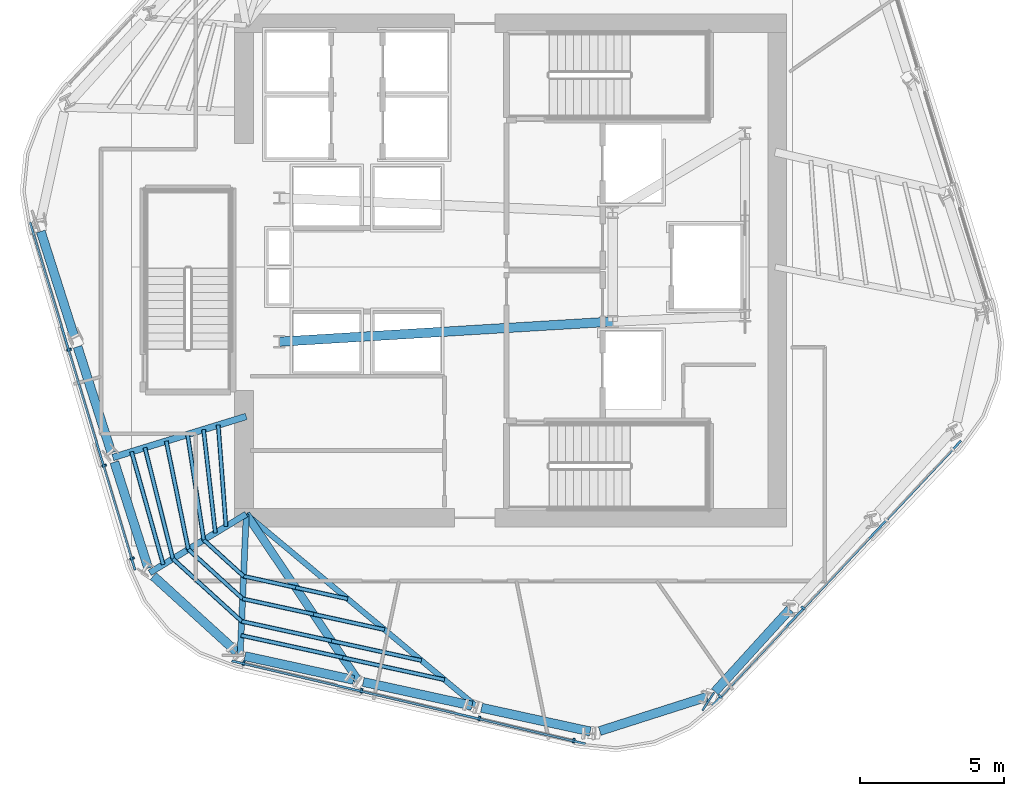
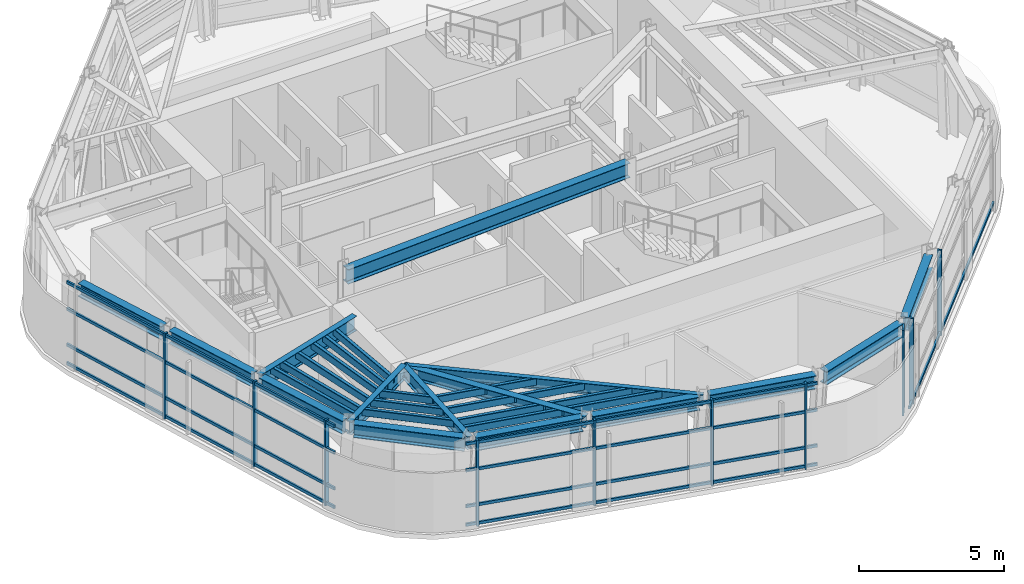
# One storey, part 2 of 13: 36 members, 15 beams, 3 elements without a shape of their own.
"""IFC4 building model written with IfcOpenShell, lengths in metres."""

from ifc_helpers import new_model, si_unit, direction, frame, origin, origin_2d, place, context, subcontext, project, spatial, rectangle, hollow_rectangle, i_section, extrude, material, layer, layer_set, material_profile, profile_set, type_object, element, aggregate, save


model = new_model("IFC4")

# Units and contexts
model_context = context("Model", 3, precision=1e-05, world=origin(), true_north=direction((0.0, 1.0)))
body_context = subcontext(model_context, "Body", "Model", "MODEL_VIEW")
ifc_project = project(units=[si_unit("LENGTHUNIT", "METRE"), si_unit("AREAUNIT", "SQUARE_METRE"), si_unit("VOLUMEUNIT", "CUBIC_METRE"), si_unit("PLANEANGLEUNIT", "RADIAN"), si_unit("MASSUNIT", "GRAM", prefix="KILO")], contexts=[model_context])

# Site, building, storey
site_placement = place(None, origin())
site = spatial("IfcSite", under=ifc_project, at=site_placement, CompositionType="ELEMENT")
building_placement = place(site_placement, origin())
building = spatial("IfcBuilding", under=site, at=building_placement, Name="Valkerne Bourse Tower", CompositionType="ELEMENT")
storey_placement = place(building_placement, frame((0.0, 0.0, 224.60009765625)))
storey = spatial("IfcBuildingStorey", under=building, at=storey_placement, Name="L57", CompositionType="ELEMENT", Elevation=224.60009765625)

# Beams
ifc_material_1 = material(Name="Steel ASTM A992", Category="steel")
ifc_material_profile_1 = material_profile(ifc_material_1, i_section(OverallWidth=0.1904296875, OverallDepth=0.457275390625, WebThickness=0.009033203125, FlangeThickness=0.014404296875, FilletRadius=0.01513671875, at=origin_2d()), Name="W18X50")
ifc_profile_set_1 = profile_set([ifc_material_profile_1], Name="Steel ASTM A992")
beam_type_1 = type_object("IfcBeamType", Name="BM-W18X50", PredefinedType="JOIST", material=ifc_profile_set_1)
beam_1_placement = place(storey_placement, frame((45.619873046875, 11.701416015625, 3.371337890625), z_axis=(-0.767498791252, 0.641050392267, 0.0), x_axis=(-0.641050392267, -0.767498791252, 0.0)))
element("IfcBeam", 1, at=beam_1_placement, inside=storey, type_object=beam_type_1, Name="L57 Radial Composite Floor Beam 14", PredefinedType="JOIST", context=body_context, shape_type="SweptSolid", body=[
    extrude(i_section(OverallWidth=0.1904296875, OverallDepth=0.457275390625, WebThickness=0.009033203125, FlangeThickness=0.014404296875, FilletRadius=0.01513671875, at=origin_2d()), origin(), (0.0, 0.0, 1.0), 10.44921875),
])
ifc_material_profile_2 = material_profile(ifc_material_1, i_section(OverallWidth=0.279296875, OverallDepth=0.46240234375, WebThickness=0.0107421875, FlangeThickness=0.017333984375, FilletRadius=0.017822265625, at=origin_2d()), Name="W18X76")
ifc_profile_set_2 = profile_set([ifc_material_profile_2], Name="Steel ASTM A992")
beam_type_2 = type_object("IfcBeamType", Name="BM-W18X76", PredefinedType="BEAM", material=ifc_profile_set_2)
beam_2_placement = place(storey_placement, frame((41.50439453125, 12.598876953125, 3.36865234375), z_axis=(-0.558352801739, 0.829603609437, 0.0), x_axis=(-0.829603609437, -0.558352801739, 0.0)))
element("IfcBeam", 2, at=beam_2_placement, inside=storey, type_object=beam_type_2, Name="L57 Radial Composite Floor Beam 13", PredefinedType="BEAM", context=body_context, shape_type="SweptSolid", body=[
    extrude(i_section(OverallWidth=0.279296875, OverallDepth=0.46240234375, WebThickness=0.0107421875, FlangeThickness=0.017333984375, FilletRadius=0.017822265625, at=origin_2d()), origin(), (0.0, 0.0, 1.0), 6.992431640625),
])
ifc_material_profile_3 = material_profile(ifc_material_1, i_section(OverallWidth=0.31494140625, OverallDepth=0.5537109375, WebThickness=0.0166015625, FlangeThickness=0.026123046875, FilletRadius=0.020263671875, at=origin_2d()), Name="W21X132")
ifc_profile_set_3 = profile_set([ifc_material_profile_3], Name="Steel ASTM A992")
beam_type_3 = type_object("IfcBeamType", Name="BM-W21X132", PredefinedType="BEAM", material=ifc_profile_set_3)
beam_3_placement = place(storey_placement, frame((30.45166015625, 28.236083984375, 3.322998046875), z_axis=(0.303981730709, -0.952677861292, 0.0), x_axis=(0.952677861292, 0.303981730709, 0.0)))
element("IfcBeam", 3, at=beam_3_placement, inside=storey, type_object=beam_type_3, Name="L57 Hexagonal Spandrel Ring Beam 08", PredefinedType="BEAM", context=body_context, shape_type="SweptSolid", body=[
    extrude(i_section(OverallWidth=0.31494140625, OverallDepth=0.5537109375, WebThickness=0.0166015625, FlangeThickness=0.026123046875, FilletRadius=0.020263671875, at=origin_2d()), origin(), (0.0, 0.0, 1.0), 3.8720703125),
])
for number, where, z_axis, x_axis, name in (
    (4, (31.732177734375, 24.223388671875, 3.322998046875), (0.303999991882, -0.952672034299, 0.0), (0.952672034299, 0.303999991882, 0.0), "L57 Hexagonal Spandrel Ring Beam 09"),
    (5, (33.0126953125, 20.210693359375, 3.322998046875), (0.304057220174, -0.952653770716, 0.0), (0.952653770716, 0.304057220174, 0.0), "L57 Hexagonal Spandrel Ring Beam 10"),
):
    element("IfcBeam", number, at=place(storey_placement, frame(where, z_axis=z_axis, x_axis=x_axis)), inside=storey, type_object=beam_type_3, Name=name, PredefinedType="BEAM", context=body_context, shape_type="SweptSolid", body=[
        extrude(i_section(OverallWidth=0.31494140625, OverallDepth=0.5537109375, WebThickness=0.0166015625, FlangeThickness=0.026123046875, FilletRadius=0.020263671875, at=origin_2d()), origin(), (0.0, 0.0, 1.0), 3.871826171875),
    ])
beam_4_placement = place(storey_placement, frame((34.3671875, 16.245849609375, 3.322998046875), z_axis=(0.739646595787, -0.67299547795, 0.0), x_axis=(0.67299547795, 0.739646595787, 0.0)))
element("IfcBeam", 6, at=beam_4_placement, inside=storey, type_object=beam_type_3, Name="L57 Hexagonal Spandrel Ring Beam 11", PredefinedType="BEAM", context=body_context, shape_type="SweptSolid", body=[
    extrude(i_section(OverallWidth=0.31494140625, OverallDepth=0.5537109375, WebThickness=0.0166015625, FlangeThickness=0.026123046875, FilletRadius=0.020263671875, at=origin_2d()), origin(), (0.0, 0.0, 1.0), 3.915771484375),
])
beam_5_placement = place(storey_placement, frame((37.555419921875, 13.4599609375, 3.322998046875), z_axis=(0.977038438993, -0.213063109736, 0.0), x_axis=(0.213063109736, 0.977038438993, 0.0)))
element("IfcBeam", 7, at=beam_5_placement, inside=storey, type_object=beam_type_3, Name="L57 Hexagonal Spandrel Ring Beam 12", PredefinedType="BEAM", context=body_context, shape_type="SweptSolid", body=[
    extrude(i_section(OverallWidth=0.31494140625, OverallDepth=0.5537109375, WebThickness=0.0166015625, FlangeThickness=0.026123046875, FilletRadius=0.020263671875, at=origin_2d()), origin(), (0.0, 0.0, 1.0), 3.871826171875),
])
for number, where, z_axis, x_axis, name in (
    (8, (41.670654296875, 12.5625, 3.322998046875), (0.977054424142, -0.212989793802, 0.0), (0.212989793802, 0.977054424142, 0.0), "L57 Hexagonal Spandrel Ring Beam 13"),
    (9, (45.785888671875, 11.665283203125, 3.322998046875), (0.97704130117, -0.213049984296, 0.0), (0.213049984296, 0.97704130117, 0.0), "L57 Hexagonal Spandrel Ring Beam 14"),
):
    element("IfcBeam", number, at=place(storey_placement, frame(where, z_axis=z_axis, x_axis=x_axis)), inside=storey, type_object=beam_type_3, Name=name, PredefinedType="BEAM", context=body_context, shape_type="SweptSolid", body=[
        extrude(i_section(OverallWidth=0.31494140625, OverallDepth=0.5537109375, WebThickness=0.0166015625, FlangeThickness=0.026123046875, FilletRadius=0.020263671875, at=origin_2d()), origin(), (0.0, 0.0, 1.0), 3.8720703125),
    ])
beam_6_placement = place(storey_placement, frame((49.897216796875, 10.85595703125, 3.322998046875), z_axis=(0.95266420636, 0.304024521907, 0.0), x_axis=(-0.304024521907, 0.95266420636, 0.0)))
element("IfcBeam", 10, at=beam_6_placement, inside=storey, type_object=beam_type_3, Name="L57 Hexagonal Spandrel Ring Beam 15", PredefinedType="BEAM", context=body_context, shape_type="SweptSolid", body=[
    extrude(i_section(OverallWidth=0.31494140625, OverallDepth=0.5537109375, WebThickness=0.0166015625, FlangeThickness=0.026123046875, FilletRadius=0.020263671875, at=origin_2d()), origin(), (0.0, 0.0, 1.0), 3.91552734375),
])
beam_7_placement = place(storey_placement, frame((53.90380859375, 12.223876953125, 3.322998046875), z_axis=(0.673030492682, 0.739614734791, 0.0), x_axis=(-0.739614734791, 0.673030492682, 0.0)))
element("IfcBeam", 11, at=beam_7_placement, inside=storey, type_object=beam_type_3, Name="L57 Hexagonal Spandrel Ring Beam 16", PredefinedType="BEAM", context=body_context, shape_type="SweptSolid", body=[
    extrude(i_section(OverallWidth=0.31494140625, OverallDepth=0.5537109375, WebThickness=0.0166015625, FlangeThickness=0.026123046875, FilletRadius=0.020263671875, at=origin_2d()), origin(), (0.0, 0.0, 1.0), 3.8720703125),
])
ifc_material_profile_4 = material_profile(ifc_material_1, i_section(OverallWidth=0.209228515625, OverallDepth=0.533447265625, WebThickness=0.01025390625, FlangeThickness=0.015625, FilletRadius=0.017822265625, at=origin_2d()), Name="W21X62")
ifc_profile_set_4 = profile_set([ifc_material_profile_4], Name="Steel ASTM A992")
beam_type_4 = type_object("IfcBeamType", Name="BM-W21X62", PredefinedType="JOIST", material=ifc_profile_set_4)
beam_8_placement = place(storey_placement, frame((37.38916015625, 13.49609375, 3.333251953125), z_axis=(0.042975295272, 0.999076135235, 0.0), x_axis=(-0.999076135235, 0.042975295272, 0.0)))
element("IfcBeam", 12, at=beam_8_placement, inside=storey, type_object=beam_type_4, Name="L57 Radial Composite Floor Beam 12", PredefinedType="JOIST", context=body_context, shape_type="SweptSolid", body=[
    extrude(i_section(OverallWidth=0.209228515625, OverallDepth=0.533447265625, WebThickness=0.01025390625, FlangeThickness=0.015625, FilletRadius=0.017822265625, at=origin_2d()), origin(), (0.0, 0.0, 1.0), 4.908447265625),
])
ifc_material_profile_5 = material_profile(ifc_material_1, i_section(OverallWidth=0.2138671875, OverallDepth=0.548583984375, WebThickness=0.0146484375, FlangeThickness=0.023681640625, FilletRadius=0.017822265625, at=origin_2d()), Name="W21X93")
ifc_profile_set_5 = profile_set([ifc_material_profile_5], Name="Steel ASTM A992")
beam_type_5 = type_object("IfcBeamType", Name="BM-W21X93", PredefinedType="BEAM", material=ifc_profile_set_5)
beam_9_placement = place(storey_placement, frame((34.24169921875, 16.360107421875, 3.32568359375), z_axis=(0.854700876198, 0.519120806967, 0.0), x_axis=(-0.519120806967, 0.854700876198, 0.0)))
element("IfcBeam", 13, at=beam_9_placement, inside=storey, type_object=beam_type_5, Name="L57 Radial Composite Floor Beam 11", PredefinedType="BEAM", context=body_context, shape_type="SweptSolid", body=[
    extrude(i_section(OverallWidth=0.2138671875, OverallDepth=0.548583984375, WebThickness=0.0146484375, FlangeThickness=0.023681640625, FilletRadius=0.017822265625, at=origin_2d()), origin(), (0.0, 0.0, 1.0), 3.929443359375),
])
ifc_material_profile_6 = material_profile(ifc_material_1, i_section(OverallWidth=0.3251953125, OverallDepth=0.612060546875, WebThickness=0.0126953125, FlangeThickness=0.01904296875, FilletRadius=0.020263671875, at=origin_2d()), Name="W24X104")
ifc_profile_set_6 = profile_set([ifc_material_profile_6], Name="Steel ASTM A992")
beam_type_6 = type_object("IfcBeamType", Name="BM-W24X104", PredefinedType="BEAM", material=ifc_profile_set_6)
beam_10_placement = place(storey_placement, frame((38.75, 24.39990234375, 3.293701171875), z_axis=(0.998183228389, 0.060251494276, 0.0), x_axis=(-0.060251494276, 0.998183228389, 0.0)))
element("IfcBeam", 14, at=beam_10_placement, inside=storey, type_object=beam_type_6, Name="L57 Core Frame Girder CG-SW", PredefinedType="BEAM", context=body_context, shape_type="SweptSolid", body=[
    extrude(i_section(OverallWidth=0.3251953125, OverallDepth=0.612060546875, WebThickness=0.0126953125, FlangeThickness=0.01904296875, FilletRadius=0.020263671875, at=origin_2d()), origin(), (0.0, 0.0, 1.0), 11.62109375),
])
ifc_material_profile_7 = material_profile(ifc_material_1, i_section(OverallWidth=0.228271484375, OverallDepth=0.607177734375, WebThickness=0.01123046875, FlangeThickness=0.017333984375, FilletRadius=0.017822265625, at=origin_2d()), Name="W24X76")
ifc_profile_set_7 = profile_set([ifc_material_profile_7], Name="Steel ASTM A992")
beam_type_7 = type_object("IfcBeamType", Name="BM-W24X76", PredefinedType="JOIST", material=ifc_profile_set_7)
beam_11_placement = place(storey_placement, frame((32.9609375, 20.372802734375, 3.29638671875), z_axis=(0.955789883622, 0.294050503087, 0.0), x_axis=(-0.294050503087, 0.955789883622, 0.0)))
element("IfcBeam", 15, at=beam_11_placement, inside=storey, type_object=beam_type_7, Name="L57 Radial Composite Floor Beam 10", PredefinedType="JOIST", context=body_context, shape_type="SweptSolid", body=[
    extrude(i_section(OverallWidth=0.228271484375, OverallDepth=0.607177734375, WebThickness=0.01123046875, FlangeThickness=0.017333984375, FilletRadius=0.017822265625, at=origin_2d()), origin(), (0.0, 0.0, 1.0), 4.853759765625),
])

# Curtain wall, members
ifc_material_2 = material(Name="Aluminium AA 6063-T6", Category="aluminium")
ifc_layer = layer(ifc_material_2, 0.239990234375)
ifc_layer_set = layer_set([ifc_layer], Name="Aluminium AA 6063-T6")
curtain_wall_type = type_object("IfcCurtainWallType", Name="CW-04", PredefinedType="NOTDEFINED", material=ifc_layer_set)
curtain_wall_1_placement = place(storey_placement, origin())
curtain_wall_1 = element("IfcCurtainWall", 16, at=curtain_wall_1_placement, inside=storey, type_object=curtain_wall_type, Name="L57 Hexagonal Stick Curtain Wall Face 3", PredefinedType="NOTDEFINED")
ifc_material_profile_8 = material_profile(ifc_material_2, rectangle(XDim=0.074951171875, YDim=0.159912109375, at=origin_2d()), Name="CWM-75X160")
ifc_profile_set_8 = profile_set([ifc_material_profile_8], Name="Aluminium AA 6063-T6")
member_type_1 = type_object("IfcMemberType", Name="CW-MUL-160X75", PredefinedType="MULLION", material=ifc_profile_set_8)
member_1_placement = place(storey_placement, frame((31.43701171875, 24.122802734375, 0.0), z_axis=(0.0, 0.0, 1.0), x_axis=(0.289033329904, -0.957319034703, 0.0)))
member_1 = element("IfcMember", 17, at=member_1_placement, type_object=member_type_1, Name="CW-L57-F3 Jamb Mullion 01A", PredefinedType="MULLION", context=body_context, shape_type="SweptSolid", body=[
    extrude(rectangle(XDim=0.074951171875, YDim=0.159912109375, at=origin_2d()), origin(), (0.0, 0.0, 1.0), 3.599853515625),
])
member_2_placement = place(storey_placement, frame((32.654541015625, 20.0908203125, 0.0), z_axis=(0.0, 0.0, 1.0), x_axis=(0.289026760752, -0.957321018034, 0.0)))
member_2 = element("IfcMember", 18, at=member_2_placement, type_object=member_type_1, Name="CW-L57-F3 Jamb Mullion 02A", PredefinedType="MULLION", context=body_context, shape_type="SweptSolid", body=[
    extrude(rectangle(XDim=0.074951171875, YDim=0.159912109375, at=origin_2d()), origin(), (0.0, 0.0, 1.0), 3.599853515625),
])
member_3_placement = place(storey_placement, frame((33.629150390625, 16.862548828125, 0.0), z_axis=(0.0, 0.0, 1.0), x_axis=(0.289026760752, -0.957321018034, 0.0)))
member_3 = element("IfcMember", 19, at=member_3_placement, type_object=member_type_1, Name="CW-L57-F3 Jamb Mullion 02B", PredefinedType="MULLION", context=body_context, shape_type="SweptSolid", body=[
    extrude(rectangle(XDim=0.074951171875, YDim=0.159912109375, at=origin_2d()), origin(), (0.0, 0.0, 1.0), 3.599853515625),
])

curtain_wall_2_placement = place(storey_placement, origin())
curtain_wall_2 = element("IfcCurtainWall", 20, at=curtain_wall_2_placement, inside=storey, type_object=curtain_wall_type, Name="L57 Hexagonal Stick Curtain Wall Face 4", PredefinedType="NOTDEFINED")
member_4_placement = place(storey_placement, frame((37.509521484375, 13.218505859375, 0.0), z_axis=(0.0, 0.0, 1.0), x_axis=(0.973579457174, -0.228348506824, 0.0)))
member_4 = element("IfcMember", 21, at=member_4_placement, type_object=member_type_1, Name="CW-L57-F4 Jamb Mullion 00A", PredefinedType="MULLION", context=body_context, shape_type="SweptSolid", body=[
    extrude(rectangle(XDim=0.074951171875, YDim=0.159912109375, at=origin_2d()), origin(), (0.0, 0.0, 1.0), 3.599853515625),
])
member_5_placement = place(storey_placement, frame((41.6103515625, 12.2568359375, 0.0), z_axis=(0.0, 0.0, 1.0), x_axis=(0.973579457174, -0.228348506824, 0.0)))
member_5 = element("IfcMember", 22, at=member_5_placement, type_object=member_type_1, Name="CW-L57-F4 Jamb Mullion 01A", PredefinedType="MULLION", context=body_context, shape_type="SweptSolid", body=[
    extrude(rectangle(XDim=0.074951171875, YDim=0.159912109375, at=origin_2d()), origin(), (0.0, 0.0, 1.0), 3.599853515625),
])
member_6_placement = place(storey_placement, frame((45.7109375, 11.294921875, 0.0), z_axis=(0.0, 0.0, 1.0), x_axis=(0.973579457174, -0.228348506824, 0.0)))
member_6 = element("IfcMember", 23, at=member_6_placement, type_object=member_type_1, Name="CW-L57-F4 Jamb Mullion 02A", PredefinedType="MULLION", context=body_context, shape_type="SweptSolid", body=[
    extrude(rectangle(XDim=0.074951171875, YDim=0.159912109375, at=origin_2d()), origin(), (0.0, 0.0, 1.0), 3.599853515625),
])
member_7_placement = place(storey_placement, frame((48.993896484375, 10.52490234375, 0.0), z_axis=(0.0, 0.0, 1.0), x_axis=(0.973579457174, -0.228348506824, 0.0)))
member_7 = element("IfcMember", 24, at=member_7_placement, type_object=member_type_1, Name="CW-L57-F4 Jamb Mullion 02B", PredefinedType="MULLION", context=body_context, shape_type="SweptSolid", body=[
    extrude(rectangle(XDim=0.074951171875, YDim=0.159912109375, at=origin_2d()), origin(), (0.0, 0.0, 1.0), 3.599853515625),
])

curtain_wall_3_placement = place(storey_placement, origin())
curtain_wall_3 = element("IfcCurtainWall", 25, at=curtain_wall_3_placement, inside=storey, type_object=curtain_wall_type, Name="L57 Hexagonal Stick Curtain Wall Face 5", PredefinedType="NOTDEFINED")
member_8_placement = place(storey_placement, frame((54.08984375, 12.0634765625, 0.0), z_axis=(0.0, 0.0, 1.0), x_axis=(0.684560035051, 0.728956485952, 0.0)))
member_8 = element("IfcMember", 26, at=member_8_placement, type_object=member_type_1, Name="CW-L57-F5 Jamb Mullion 00A", PredefinedType="MULLION", context=body_context, shape_type="SweptSolid", body=[
    extrude(rectangle(XDim=0.074951171875, YDim=0.159912109375, at=origin_2d()), origin(), (0.0, 0.0, 1.0), 3.599853515625),
])
member_9_placement = place(storey_placement, frame((56.97314453125, 15.1337890625, 0.0), z_axis=(0.0, 0.0, 1.0), x_axis=(0.684535571717, 0.728979458595, 0.0)))
member_9 = element("IfcMember", 27, at=member_9_placement, type_object=member_type_1, Name="CW-L57-F5 Jamb Mullion 01A", PredefinedType="MULLION", context=body_context, shape_type="SweptSolid", body=[
    extrude(rectangle(XDim=0.074951171875, YDim=0.159912109375, at=origin_2d()), origin(), (0.0, 0.0, 1.0), 3.599853515625),
])

# Member
ifc_material_profile_9 = material_profile(ifc_material_2, rectangle(XDim=0.074951171875, YDim=0.1201171875, at=origin_2d()), Name="CWT-75X120")
ifc_profile_set_9 = profile_set([ifc_material_profile_9], Name="Aluminium AA 6063-T6")
member_type_2 = type_object("IfcMemberType", Name="CW-TRN-120X75", PredefinedType="USERDEFINED", material=ifc_profile_set_9)
member_10_placement = place(storey_placement, frame((30.0791015625, 28.55126953125, 0.119873046875), z_axis=(0.289042010768, -0.957316413738, 0.0), x_axis=(0.957316413738, 0.289042010768, 0.0)))
member_10 = element("IfcMember", 28, at=member_10_placement, type_object=member_type_2, Name="CW-L57-F3 Continuous Face Transom 1", ObjectType="TRANSOM", PredefinedType="USERDEFINED", context=body_context, shape_type="SweptSolid", body=[
    extrude(rectangle(XDim=0.074951171875, YDim=0.1201171875, at=origin_2d()), origin(), (0.0, 0.0, 1.0), 12.635986328125),
])

member_11_placement = place(storey_placement, frame((30.0791015625, 28.55126953125, 0.89990234375), z_axis=(0.289042010768, -0.957316413738, 0.0), x_axis=(0.957316413738, 0.289042010768, 0.0)))
member_11 = element("IfcMember", 29, at=member_11_placement, type_object=member_type_2, Name="CW-L57-F3 Continuous Face Transom 2", ObjectType="TRANSOM", PredefinedType="USERDEFINED", context=body_context, shape_type="SweptSolid", body=[
    extrude(rectangle(XDim=0.074951171875, YDim=0.1201171875, at=origin_2d()), origin(), (0.0, 0.0, 1.0), 12.635986328125),
])

member_12_placement = place(storey_placement, frame((30.0791015625, 28.55126953125, 2.39990234375), z_axis=(0.289042010768, -0.957316413738, 0.0), x_axis=(0.957316413738, 0.289042010768, 0.0)))
member_12 = element("IfcMember", 30, at=member_12_placement, type_object=member_type_2, Name="CW-L57-F3 Continuous Face Transom 3", ObjectType="TRANSOM", PredefinedType="USERDEFINED", context=body_context, shape_type="SweptSolid", body=[
    extrude(rectangle(XDim=0.074951171875, YDim=0.1201171875, at=origin_2d()), origin(), (0.0, 0.0, 1.0), 12.635986328125),
])

member_13_placement = place(storey_placement, frame((30.0791015625, 28.55126953125, 3.52001953125), z_axis=(0.289042010768, -0.957316413738, 0.0), x_axis=(0.957316413738, 0.289042010768, 0.0)))
member_13 = element("IfcMember", 31, at=member_13_placement, type_object=member_type_2, Name="CW-L57-F3 Continuous Face Transom 4", ObjectType="TRANSOM", PredefinedType="USERDEFINED", context=body_context, shape_type="SweptSolid", body=[
    extrude(rectangle(XDim=0.074951171875, YDim=0.1201171875, at=origin_2d()), origin(), (0.0, 0.0, 1.0), 12.635986328125),
])

aggregate(curtain_wall_1, [member_10, member_11, member_12, member_13, member_1, member_2, member_3])

member_14_placement = place(storey_placement, frame((37.09619140625, 13.294921875, 0.119873046875), z_axis=(0.973581622913, -0.228339272849, 0.0), x_axis=(0.228339272849, 0.973581622913, 0.0)))
member_14 = element("IfcMember", 32, at=member_14_placement, type_object=member_type_2, Name="CW-L57-F4 Continuous Face Transom 1", ObjectType="TRANSOM", PredefinedType="USERDEFINED", context=body_context, shape_type="SweptSolid", body=[
    extrude(rectangle(XDim=0.074951171875, YDim=0.1201171875, at=origin_2d()), origin(), (0.0, 0.0, 1.0), 12.6357421875),
])

member_15_placement = place(storey_placement, frame((37.09619140625, 13.294921875, 0.89990234375), z_axis=(0.973581622913, -0.228339272849, 0.0), x_axis=(0.228339272849, 0.973581622913, 0.0)))
member_15 = element("IfcMember", 33, at=member_15_placement, type_object=member_type_2, Name="CW-L57-F4 Continuous Face Transom 2", ObjectType="TRANSOM", PredefinedType="USERDEFINED", context=body_context, shape_type="SweptSolid", body=[
    extrude(rectangle(XDim=0.074951171875, YDim=0.1201171875, at=origin_2d()), origin(), (0.0, 0.0, 1.0), 12.6357421875),
])

member_16_placement = place(storey_placement, frame((37.09619140625, 13.294921875, 2.39990234375), z_axis=(0.973581622913, -0.228339272849, 0.0), x_axis=(0.228339272849, 0.973581622913, 0.0)))
member_16 = element("IfcMember", 34, at=member_16_placement, type_object=member_type_2, Name="CW-L57-F4 Continuous Face Transom 3", ObjectType="TRANSOM", PredefinedType="USERDEFINED", context=body_context, shape_type="SweptSolid", body=[
    extrude(rectangle(XDim=0.074951171875, YDim=0.1201171875, at=origin_2d()), origin(), (0.0, 0.0, 1.0), 12.6357421875),
])

member_17_placement = place(storey_placement, frame((37.09619140625, 13.294921875, 3.52001953125), z_axis=(0.973581622913, -0.228339272849, 0.0), x_axis=(0.228339272849, 0.973581622913, 0.0)))
member_17 = element("IfcMember", 35, at=member_17_placement, type_object=member_type_2, Name="CW-L57-F4 Continuous Face Transom 4", ObjectType="TRANSOM", PredefinedType="USERDEFINED", context=body_context, shape_type="SweptSolid", body=[
    extrude(rectangle(XDim=0.074951171875, YDim=0.1201171875, at=origin_2d()), origin(), (0.0, 0.0, 1.0), 12.6357421875),
])

aggregate(curtain_wall_2, [member_14, member_15, member_16, member_17, member_4, member_5, member_6, member_7])

member_18_placement = place(storey_placement, frame((53.81689453125, 11.74365234375, 0.119873046875), z_axis=(0.684538601251, 0.728976613752, 0.0), x_axis=(-0.728976613752, 0.684538601251, 0.0)))
member_18 = element("IfcMember", 36, at=member_18_placement, type_object=member_type_2, Name="CW-L57-F5 Continuous Face Transom 1", ObjectType="TRANSOM", PredefinedType="USERDEFINED", context=body_context, shape_type="SweptSolid", body=[
    extrude(rectangle(XDim=0.074951171875, YDim=0.1201171875, at=origin_2d()), origin(), (0.0, 0.0, 1.0), 12.635986328125),
])

aggregate(curtain_wall_3, [member_18, member_8, member_9])

# Members
ifc_material_3 = material(Name="Bronze Anodised Aluminium AA 6063-T6", Category="aluminium")
ifc_material_profile_10 = material_profile(ifc_material_3, rectangle(XDim=0.06494140625, YDim=0.75, at=origin_2d()), Name="FIN-65X750")
ifc_profile_set_10 = profile_set([ifc_material_profile_10], Name="Bronze Anodised Aluminium AA 6063-T6")
member_type_3 = type_object("IfcMemberType", Name="FIN-SOLAR-650", PredefinedType="USERDEFINED", material=ifc_profile_set_10)
member_19_placement = place(storey_placement, frame((53.6708984375, 11.880615234375, 0.00390625), z_axis=(0.0, 0.0, 1.0), x_axis=(0.840131291025, -0.542383087716, 0.0)))
element("IfcMember", 37, at=member_19_placement, inside=storey, type_object=member_type_3, Name="L57 Bronze Anodised Solar Fin F5-00", ObjectType="SOLAR_FIN", PredefinedType="USERDEFINED", context=body_context, shape_type="SweptSolid", body=[
    extrude(rectangle(XDim=0.06494140625, YDim=0.75, at=origin_2d()), origin(), (0.0, 0.0, 1.0), 3.592041015625),
])
ifc_material_4 = material(Name="Steel ASTM A500 Grade C", Category="steel")
ifc_material_profile_11 = material_profile(ifc_material_4, hollow_rectangle(XDim=0.14990234375, YDim=0.300048828125, WallThickness=0.012451171875, OuterFilletRadius=0.02490234375, at=origin_2d()), Name="HSS300X150X12.5")
ifc_profile_set_11 = profile_set([ifc_material_profile_11], Name="Steel ASTM A500 Grade C")
member_type_4 = type_object("IfcMemberType", Name="MBR-HSS300X150X12.5", PredefinedType="PURLIN", material=ifc_profile_set_11)
member_20_placement = place(storey_placement, frame((36.115478515625, 21.34326171875, 3.43994140625), z_axis=(0.11325931234, -0.993565462447, 0.0), x_axis=(0.993565462447, 0.11325931234, 0.0)))
element("IfcMember", 38, at=member_20_placement, inside=storey, type_object=member_type_4, Name="L57 Secondary Composite Floor Purlin I-10", PredefinedType="PURLIN", context=body_context, shape_type="SweptSolid", body=[
    extrude(hollow_rectangle(XDim=0.14990234375, YDim=0.300048828125, WallThickness=0.012451171875, OuterFilletRadius=0.02490234375, at=origin_2d()), origin(), (0.0, 0.0, 1.0), 3.619140625),
])
member_21_placement = place(storey_placement, frame((35.558837890625, 21.172119140625, 3.43994140625), z_axis=(0.151770577308, -0.98841574849, 0.0), x_axis=(0.98841574849, 0.151770577308, 0.0)))
element("IfcMember", 39, at=member_21_placement, inside=storey, type_object=member_type_4, Name="L57 Secondary Composite Floor Purlin K-10", PredefinedType="PURLIN", context=body_context, shape_type="SweptSolid", body=[
    extrude(hollow_rectangle(XDim=0.14990234375, YDim=0.300048828125, WallThickness=0.012451171875, OuterFilletRadius=0.02490234375, at=origin_2d()), origin(), (0.0, 0.0, 1.0), 3.712646484375),
])
member_22_placement = place(storey_placement, frame((36.122314453125, 17.50244140625, 3.43994140625), z_axis=(0.739574162958, -0.673075075668, 0.0), x_axis=(0.673075075668, 0.739574162958, 0.0)))
element("IfcMember", 40, at=member_22_placement, inside=storey, type_object=member_type_4, Name="L57 Secondary Composite Floor Purlin K-11", PredefinedType="PURLIN", context=body_context, shape_type="SweptSolid", body=[
    extrude(hollow_rectangle(XDim=0.14990234375, YDim=0.300048828125, WallThickness=0.012451171875, OuterFilletRadius=0.02490234375, at=origin_2d()), origin(), (0.0, 0.0, 1.0), 1.872314453125),
])
member_23_placement = place(storey_placement, frame((37.507080078125, 16.2421875, 3.43994140625), z_axis=(0.977056143431, -0.212981906704, 0.0), x_axis=(0.212981906704, 0.977056143431, 0.0)))
element("IfcMember", 41, at=member_23_placement, inside=storey, type_object=member_type_4, Name="L57 Secondary Composite Floor Purlin K-12", PredefinedType="PURLIN", context=body_context, shape_type="SweptSolid", body=[
    extrude(hollow_rectangle(XDim=0.14990234375, YDim=0.300048828125, WallThickness=0.012451171875, OuterFilletRadius=0.02490234375, at=origin_2d()), origin(), (0.0, 0.0, 1.0), 1.853515625),
])
member_24_placement = place(storey_placement, frame((39.318115234375, 15.847412109375, 3.43994140625), z_axis=(0.97705016755, -0.213009319257, 0.0), x_axis=(0.213009319257, 0.97705016755, 0.0)))
element("IfcMember", 42, at=member_24_placement, inside=storey, type_object=member_type_4, Name="L57 Secondary Composite Floor Purlin K-13", PredefinedType="PURLIN", context=body_context, shape_type="SweptSolid", body=[
    extrude(hollow_rectangle(XDim=0.14990234375, YDim=0.300048828125, WallThickness=0.012451171875, OuterFilletRadius=0.02490234375, at=origin_2d()), origin(), (0.0, 0.0, 1.0), 1.853271484375),
])
member_25_placement = place(storey_placement, frame((34.074462890625, 20.71533203125, 3.43994140625), z_axis=(0.244134951753, -0.969741267211, 0.0), x_axis=(0.969741267211, 0.244134951753, 0.0)))
element("IfcMember", 43, at=member_25_placement, inside=storey, type_object=member_type_4, Name="L57 Secondary Composite Floor Purlin O-10", PredefinedType="PURLIN", context=body_context, shape_type="SweptSolid", body=[
    extrude(hollow_rectangle(XDim=0.14990234375, YDim=0.300048828125, WallThickness=0.012451171875, OuterFilletRadius=0.02490234375, at=origin_2d()), origin(), (0.0, 0.0, 1.0), 3.986083984375),
])
member_26_placement = place(storey_placement, frame((35.047607421875, 16.849853515625, 3.43994140625), z_axis=(0.739612082384, -0.673033407485, 0.0), x_axis=(0.673033407485, 0.739612082384, 0.0)))
element("IfcMember", 44, at=member_26_placement, inside=storey, type_object=member_type_4, Name="L57 Secondary Composite Floor Purlin O-11", PredefinedType="PURLIN", context=body_context, shape_type="SweptSolid", body=[
    extrude(hollow_rectangle(XDim=0.14990234375, YDim=0.300048828125, WallThickness=0.012451171875, OuterFilletRadius=0.02490234375, at=origin_2d()), origin(), (0.0, 0.0, 1.0), 3.234130859375),
])
for number, where, z_axis, x_axis, name in (
    (45, (37.439697265625, 14.673095703125, 3.43994140625), (0.977049538376, -0.21301220519, 0.0), (0.21301220519, 0.977049538376, 0.0), "L57 Secondary Composite Floor Purlin O-12"),
    (46, (40.5673828125, 13.9912109375, 3.43994140625), (0.977033663082, -0.21308500934, 0.0), (0.21308500934, 0.977033663082, 0.0), "L57 Secondary Composite Floor Purlin O-13"),
):
    element("IfcMember", number, at=place(storey_placement, frame(where, z_axis=z_axis, x_axis=x_axis)), inside=storey, type_object=member_type_4, Name=name, PredefinedType="PURLIN", context=body_context, shape_type="SweptSolid", body=[
        extrude(hollow_rectangle(XDim=0.14990234375, YDim=0.300048828125, WallThickness=0.012451171875, OuterFilletRadius=0.02490234375, at=origin_2d()), origin(), (0.0, 0.0, 1.0), 3.201171875),
    ])
member_27_placement = place(storey_placement, frame((34.816650390625, 20.943603515625, 3.43994140625), z_axis=(0.199814464408, -0.97983375111, 0.0), x_axis=(0.97983375111, 0.199814464408, 0.0)))
element("IfcMember", 47, at=member_27_placement, inside=storey, type_object=member_type_4, Name="L57 Secondary Composite Floor Purlin Z-10", PredefinedType="PURLIN", context=body_context, shape_type="SweptSolid", body=[
    extrude(hollow_rectangle(XDim=0.14990234375, YDim=0.300048828125, WallThickness=0.012451171875, OuterFilletRadius=0.02490234375, at=origin_2d()), origin(), (0.0, 0.0, 1.0), 3.84521484375),
])
member_28_placement = place(storey_placement, frame((35.5849609375, 17.176025390625, 3.43994140625), z_axis=(0.739645777254, -0.672996377546, 0.0), x_axis=(0.672996377546, 0.739645777254, 0.0)))
element("IfcMember", 48, at=member_28_placement, inside=storey, type_object=member_type_4, Name="L57 Secondary Composite Floor Purlin Z-11", PredefinedType="PURLIN", context=body_context, shape_type="SweptSolid", body=[
    extrude(hollow_rectangle(XDim=0.14990234375, YDim=0.300048828125, WallThickness=0.012451171875, OuterFilletRadius=0.02490234375, at=origin_2d()), origin(), (0.0, 0.0, 1.0), 2.55322265625),
])
for number, where, z_axis, x_axis, name in (
    (49, (37.473388671875, 15.457763671875, 3.43994140625), (0.977029659736, -0.213103364582, 0.0), (0.213103364582, 0.977029659736, 0.0), "L57 Secondary Composite Floor Purlin Z-12"),
    (50, (39.942626953125, 14.919189453125, 3.43994140625), (0.977049769076, -0.213011147005, 0.0), (0.213011147005, 0.977049769076, 0.0), "L57 Secondary Composite Floor Purlin Z-13"),
):
    element("IfcMember", number, at=place(storey_placement, frame(where, z_axis=z_axis, x_axis=x_axis)), inside=storey, type_object=member_type_4, Name=name, PredefinedType="PURLIN", context=body_context, shape_type="SweptSolid", body=[
        extrude(hollow_rectangle(XDim=0.14990234375, YDim=0.300048828125, WallThickness=0.012451171875, OuterFilletRadius=0.02490234375, at=origin_2d()), origin(), (0.0, 0.0, 1.0), 2.52734375),
    ])
member_29_placement = place(storey_placement, frame((36.625732421875, 21.500244140625, 3.43994140625), z_axis=(0.076026471403, -0.997105799625, 0.0), x_axis=(0.997105799625, 0.076026471403, 0.0)))
element("IfcMember", 51, at=member_29_placement, inside=storey, type_object=member_type_4, Name="L57 Secondary Composite Floor Purlin S-10", PredefinedType="PURLIN", context=body_context, shape_type="SweptSolid", body=[
    extrude(hollow_rectangle(XDim=0.14990234375, YDim=0.300048828125, WallThickness=0.012451171875, OuterFilletRadius=0.02490234375, at=origin_2d()), origin(), (0.0, 0.0, 1.0), 3.538818359375),
])
member_30_placement = place(storey_placement, frame((33.610595703125, 20.572509765625, 3.43994140625), z_axis=(0.27004512712, -0.962847666725, 0.0), x_axis=(0.962847666725, 0.27004512712, 0.0)))
element("IfcMember", 52, at=member_30_placement, inside=storey, type_object=member_type_4, Name="L57 Secondary Composite Floor Purlin T-10", PredefinedType="PURLIN", context=body_context, shape_type="SweptSolid", body=[
    extrude(hollow_rectangle(XDim=0.14990234375, YDim=0.300048828125, WallThickness=0.012451171875, OuterFilletRadius=0.02490234375, at=origin_2d()), origin(), (0.0, 0.0, 1.0), 4.078369140625),
])
member_31_placement = place(storey_placement, frame((37.418701171875, 14.1826171875, 3.43994140625), z_axis=(0.977043570796, -0.213039575587, 0.0), x_axis=(0.213039575587, 0.977043570796, 0.0)))
element("IfcMember", 53, at=member_31_placement, inside=storey, type_object=member_type_4, Name="L57 Secondary Composite Floor Purlin T-12", PredefinedType="PURLIN", context=body_context, shape_type="SweptSolid", body=[
    extrude(hollow_rectangle(XDim=0.14990234375, YDim=0.300048828125, WallThickness=0.012451171875, OuterFilletRadius=0.02490234375, at=origin_2d()), origin(), (0.0, 0.0, 1.0), 3.62255859375),
])
member_32_placement = place(storey_placement, frame((40.9580078125, 13.410888671875, 3.43994140625), z_axis=(0.977054540004, -0.212989262308, 0.0), x_axis=(0.212989262308, 0.977054540004, 0.0)))
element("IfcMember", 54, at=member_32_placement, inside=storey, type_object=member_type_4, Name="L57 Secondary Composite Floor Purlin T-13", PredefinedType="PURLIN", context=body_context, shape_type="SweptSolid", body=[
    extrude(hollow_rectangle(XDim=0.14990234375, YDim=0.300048828125, WallThickness=0.012451171875, OuterFilletRadius=0.02490234375, at=origin_2d()), origin(), (0.0, 0.0, 1.0), 3.6220703125),
])

save(model, "model.ifc")
